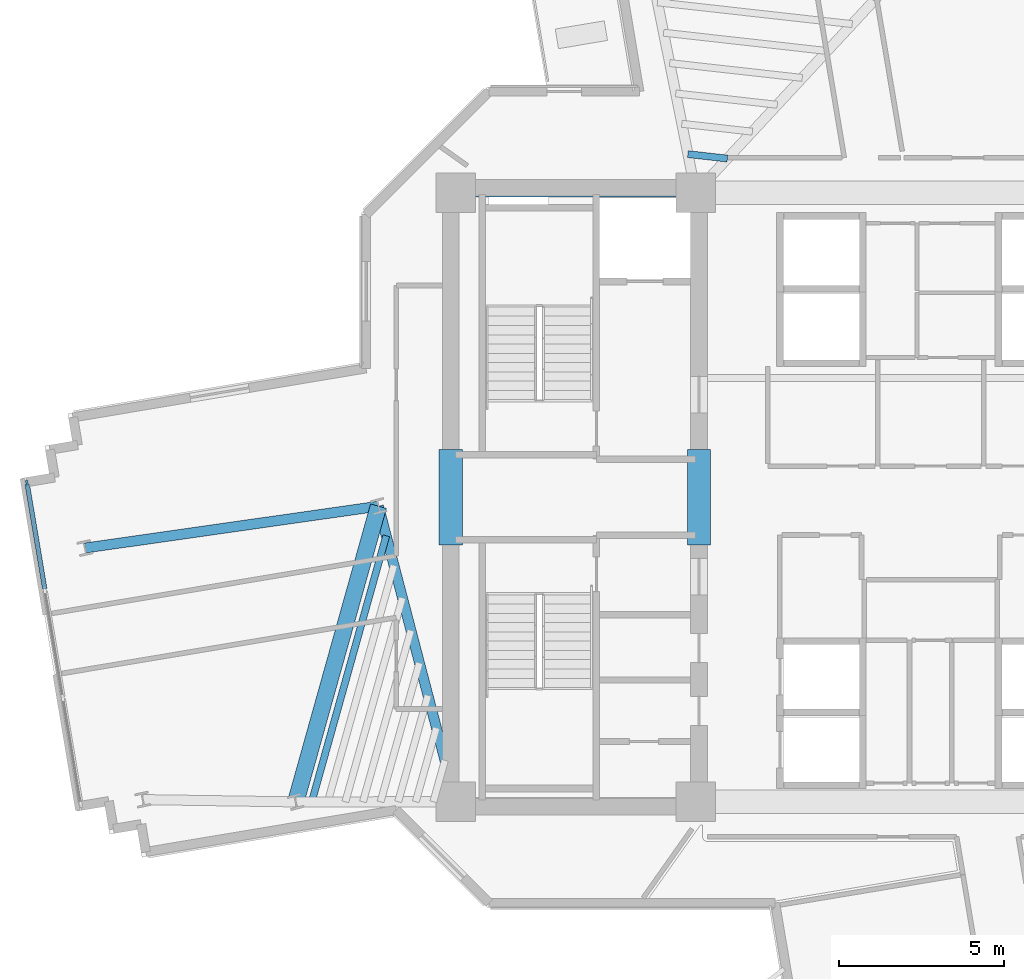
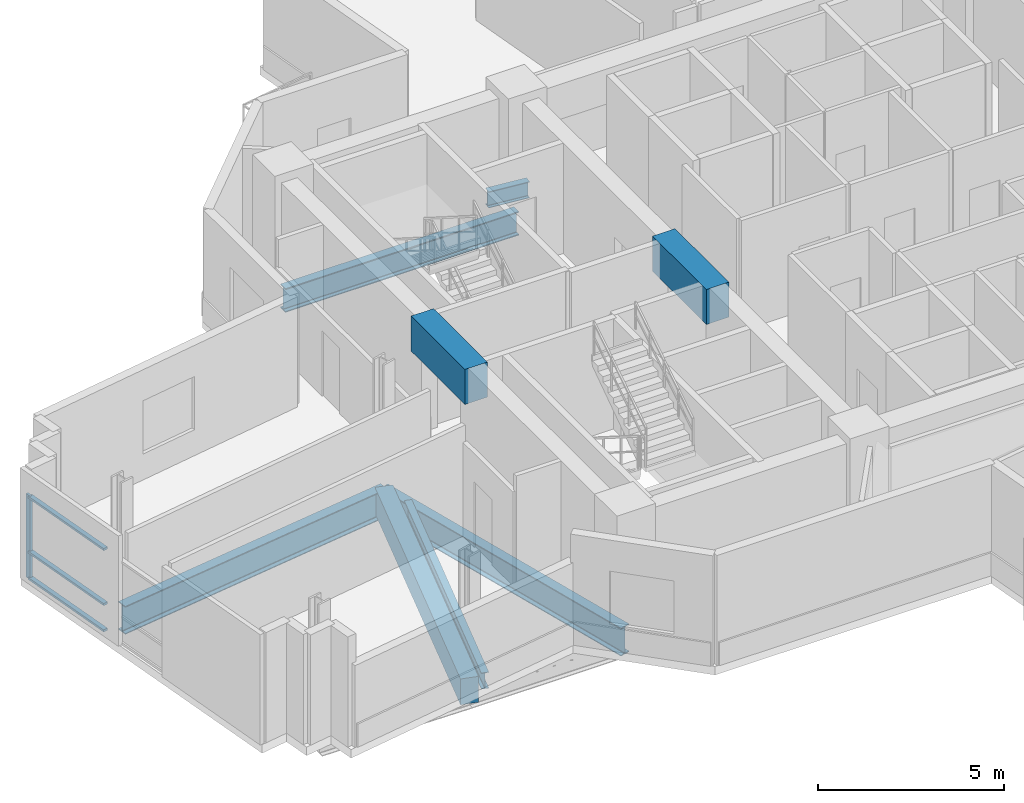
# One storey, part 3 of 15: 8 beams, 4 members, 1 element without a shape of its own.
"""IFC4 building model written with IfcOpenShell, lengths in metres."""

from ifc_helpers import new_model, si_unit, direction, frame, origin, origin_2d, place, context, subcontext, project, spatial, rectangle, i_section, extrude, source, transform, mapped, material, layer, layer_set, material_profile, profile_set, type_object, element, aggregate, save


model = new_model("IFC4")

# Units and contexts
model_context = context("Model", 3, precision=1e-05, world=origin(), true_north=direction((0.0, 1.0)))
body_context = subcontext(model_context, "Body", "Model", "MODEL_VIEW")
ifc_project = project(units=[si_unit("LENGTHUNIT", "METRE"), si_unit("AREAUNIT", "SQUARE_METRE"), si_unit("VOLUMEUNIT", "CUBIC_METRE"), si_unit("PLANEANGLEUNIT", "RADIAN"), si_unit("MASSUNIT", "GRAM", prefix="KILO")], contexts=[model_context])

# Site, building, storey
site_placement = place(None, origin())
site = spatial("IfcSite", under=ifc_project, at=site_placement, CompositionType="ELEMENT")
building_placement = place(site_placement, origin())
building = spatial("IfcBuilding", under=site, at=building_placement, Name="Zahravan Cultural Tower", CompositionType="ELEMENT")
storey_placement = place(building_placement, frame((0.0, 0.0, 139.5)))
storey = spatial("IfcBuildingStorey", under=building, at=storey_placement, Name="L31", CompositionType="ELEMENT", Elevation=139.5)

# Beams
ifc_material_1 = material(Name="Concrete C50/60", Category="concrete")
ifc_material_profile_1 = material_profile(ifc_material_1, rectangle(XDim=0.699951171875, YDim=1.14990234375, at=origin_2d()), Name="RC700X1150")
ifc_profile_set_1 = profile_set([ifc_material_profile_1], Name="Concrete C50/60")
beam_type_1 = type_object("IfcBeamType", Name="BM-LN-RC700X1150", PredefinedType="LINTEL", material=ifc_profile_set_1)
shared_shape_1 = source(origin(), body_context, "Body", "SweptSolid", [
    extrude(rectangle(XDim=0.699951171875, YDim=1.14990234375, at=origin_2d()), origin(), (0.0, 0.0, 1.0), 2.89990234375),
])
for number, where, z_axis, x_axis, name in (
    (1, (21.5, 25.550048828125, 3.044921875), (0.0, 1.0, 0.0), (-1.0, 0.0, 0.0), "L31 Beam LN-L31-PWW"),
    (2, (29.0, 25.550048828125, 3.044921875), (0.0, 1.0, 0.0), (-1.0, 0.0, 0.0), "L31 Beam LN-L31-PWE"),
):
    element("IfcBeam", number, at=place(storey_placement, frame(where, z_axis=z_axis, x_axis=x_axis)), inside=storey, type_object=beam_type_1, Name=name, PredefinedType="LINTEL", context=body_context, shape_type="MappedRepresentation", body=[
        mapped(shared_shape_1, transform((0.0, 0.0, 0.0), x_axis=(1.0, 0.0, 0.0), y_axis=(0.0, 1.0, 0.0), z_axis=(0.0, 0.0, 1.0), scale=1.0)),
    ])
ifc_material_2 = material(Name="Steel ASTM A992 Grade 50", Category="steel")
ifc_material_profile_2 = material_profile(ifc_material_2, i_section(OverallWidth=0.26611328125, OverallDepth=0.780029296875, WebThickness=0.0166015625, FlangeThickness=0.030029296875, FilletRadius=0.01904296875, at=origin_2d()), Name="W30X148")
ifc_profile_set_2 = profile_set([ifc_material_profile_2], Name="Steel ASTM A992 Grade 50")
beam_type_2 = type_object("IfcBeamType", Name="BM-G-W30X148", PredefinedType="BEAM", material=ifc_profile_set_2)
shared_shape_2 = source(origin(), body_context, "Body", "SweptSolid", [
    extrude(i_section(OverallWidth=0.26611328125, OverallDepth=0.780029296875, WebThickness=0.0166015625, FlangeThickness=0.030029296875, FilletRadius=0.01904296875, at=origin_2d()), origin(), (0.0, 0.0, 1.0), 7.25),
])
beam_1_placement = place(storey_placement, frame((21.64990234375, 36.199951171875, -0.669921875), z_axis=(1.0, 0.0, 0.0), x_axis=(0.0, 1.0, 0.0)))
element("IfcBeam", 3, at=beam_1_placement, inside=storey, type_object=beam_type_2, Name="L31 Beam BG-L31-02", PredefinedType="BEAM", context=body_context, shape_type="MappedRepresentation", body=[
    mapped(shared_shape_2, transform((0.0, 0.0, 0.0), x_axis=(1.0, 0.0, 0.0), y_axis=(0.0, 1.0, 0.0), z_axis=(0.0, 0.0, 1.0), scale=1.0)),
])
ifc_material_profile_3 = material_profile(ifc_material_2, i_section(OverallWidth=0.304931640625, OverallDepth=0.9189453125, WebThickness=0.017333984375, FlangeThickness=0.02783203125, FilletRadius=0.02392578125, at=origin_2d()), Name="W36X170")
ifc_profile_set_3 = profile_set([ifc_material_profile_3], Name="Steel ASTM A992 Grade 50")
beam_type_3 = type_object("IfcBeamType", Name="BM-G-W36X170", PredefinedType="BEAM", material=ifc_profile_set_3)
shared_shape_3 = source(origin(), body_context, "Body", "SweptSolid", [
    extrude(i_section(OverallWidth=0.304931640625, OverallDepth=0.9189453125, WebThickness=0.017333984375, FlangeThickness=0.02783203125, FilletRadius=0.02392578125, at=origin_2d()), origin(), (0.0, 0.0, 1.0), 9.22900390625),
])
beam_2_placement = place(storey_placement, frame((21.64990234375, 17.800048828125, -0.739501953125), z_axis=(-0.252922608408, 0.967486513682, 0.0), x_axis=(-0.967486513682, -0.252922608408, 0.0)))
element("IfcBeam", 4, at=beam_2_placement, inside=storey, type_object=beam_type_3, Name="L31 Beam BG-L31-07", PredefinedType="BEAM", context=body_context, shape_type="MappedRepresentation", body=[
    mapped(shared_shape_3, transform((0.0, 0.0, 0.0), x_axis=(1.0, 0.0, 0.0), y_axis=(0.0, 1.0, 0.0), z_axis=(0.0, 0.0, 1.0), scale=1.0)),
])
shared_shape_4 = source(origin(), body_context, "Body", "SweptSolid", [
    extrude(i_section(OverallWidth=0.304931640625, OverallDepth=0.9189453125, WebThickness=0.017333984375, FlangeThickness=0.02783203125, FilletRadius=0.02392578125, at=origin_2d()), origin(), (0.0, 0.0, 1.0), 8.9580078125),
])
beam_3_placement = place(storey_placement, frame((19.315673828125, 26.72900390625, -0.739501953125), z_axis=(-0.990000122431, -0.141066500584, 0.0), x_axis=(0.141066500584, -0.990000122431, 0.0)))
element("IfcBeam", 5, at=beam_3_placement, inside=storey, type_object=beam_type_3, Name="L31 Beam BG-L31-17", PredefinedType="BEAM", context=body_context, shape_type="MappedRepresentation", body=[
    mapped(shared_shape_4, transform((0.0, 0.0, 0.0), x_axis=(1.0, 0.0, 0.0), y_axis=(0.0, 1.0, 0.0), z_axis=(0.0, 0.0, 1.0), scale=1.0)),
])
ifc_material_profile_4 = material_profile(ifc_material_1, rectangle(XDim=0.5, YDim=0.85009765625, at=origin_2d()), Name="RC500X850")
ifc_profile_set_4 = profile_set([ifc_material_profile_4], Name="Concrete C50/60")
beam_type_4 = type_object("IfcBeamType", Name="BM-SP-RC500X850", PredefinedType="SPANDREL", material=ifc_profile_set_4)
shared_shape_5 = source(origin(), body_context, "Body", "SweptSolid", [
    extrude(rectangle(XDim=0.5, YDim=0.85009765625, at=origin_2d()), origin(), (0.0, 0.0, 1.0), 9.2783203125),
])
beam_4_placement = place(storey_placement, frame((19.315673828125, 26.72900390625, -0.705078125), z_axis=(-0.269497187032, -0.963001176625, 0.0), x_axis=(0.963001176625, -0.269497187032, 0.0)))
element("IfcBeam", 6, at=beam_4_placement, inside=storey, type_object=beam_type_4, Name="L31 Beam SP-L31-19", PredefinedType="SPANDREL", context=body_context, shape_type="MappedRepresentation", body=[
    mapped(shared_shape_5, transform((0.0, 0.0, 0.0), x_axis=(1.0, 0.0, 0.0), y_axis=(0.0, 1.0, 0.0), z_axis=(0.0, 0.0, 1.0), scale=1.0)),
])
ifc_material_profile_5 = material_profile(ifc_material_2, i_section(OverallWidth=0.2099609375, OverallDepth=0.532958984375, WebThickness=0.01025390625, FlangeThickness=0.015625, FilletRadius=0.013916015625, at=origin_2d()), Name="W21X62")
ifc_profile_set_5 = profile_set([ifc_material_profile_5], Name="Steel ASTM A992 Grade 50")
beam_type_5 = type_object("IfcBeamType", Name="BM-J-W21X62", PredefinedType="JOIST", material=ifc_profile_set_5)
shared_shape_6 = source(origin(), body_context, "Body", "SweptSolid", [
    extrude(i_section(OverallWidth=0.2099609375, OverallDepth=0.532958984375, WebThickness=0.01025390625, FlangeThickness=0.015625, FilletRadius=0.013916015625, at=origin_2d()), origin(), (0.0, 0.0, 1.0), 8.350830078125),
])
beam_5_placement = place(storey_placement, frame((19.549072265625, 25.836181640625, -0.54638671875), z_axis=(-0.269496539555, -0.963001357822, 0.0), x_axis=(0.963001357822, -0.269496539555, 0.0)))
element("IfcBeam", 7, at=beam_5_placement, inside=storey, type_object=beam_type_5, Name="L31 Beam BJ-L31-31", PredefinedType="JOIST", context=body_context, shape_type="MappedRepresentation", body=[
    mapped(shared_shape_6, transform((0.0, 0.0, 0.0), x_axis=(1.0, 0.0, 0.0), y_axis=(0.0, 1.0, 0.0), z_axis=(0.0, 0.0, 1.0), scale=1.0)),
])
shared_shape_7 = source(origin(), body_context, "Body", "SweptSolid", [
    extrude(i_section(OverallWidth=0.2099609375, OverallDepth=0.532958984375, WebThickness=0.01025390625, FlangeThickness=0.015625, FilletRadius=0.013916015625, at=origin_2d()), origin(), (0.0, 0.0, 1.0), 1.201171875),
])
beam_6_placement = place(storey_placement, frame((29.859619140625, 37.234375, -0.54638671875), z_axis=(-0.99379916149, 0.111190047317, 0.0), x_axis=(-0.111190047317, -0.99379916149, 0.0)))
element("IfcBeam", 8, at=beam_6_placement, inside=storey, type_object=beam_type_5, Name="L31 Beam BJ-L31-48", PredefinedType="JOIST", context=body_context, shape_type="MappedRepresentation", body=[
    mapped(shared_shape_7, transform((0.0, 0.0, 0.0), x_axis=(1.0, 0.0, 0.0), y_axis=(0.0, 1.0, 0.0), z_axis=(0.0, 0.0, 1.0), scale=1.0)),
])

# Curtain wall, members
ifc_material_3 = material(Name="Anodised bronze-aluminium mullion", Category="aluminium")
ifc_layer = layer(ifc_material_3, 0.179931640625)
ifc_layer_set = layer_set([ifc_layer], Name="Anodised bronze-aluminium mullion")
curtain_wall_type = type_object("IfcCurtainWallType", Name="CW-SYS-3", PredefinedType="USERDEFINED", material=ifc_layer_set)
curtain_wall_placement = place(storey_placement, origin())
curtain_wall = element("IfcCurtainWall", 9, at=curtain_wall_placement, inside=storey, type_object=curtain_wall_type, Name="L31 Recessed Curtain Wall CW-3.2", ObjectType="RECESSED GLAZING", PredefinedType="USERDEFINED")
ifc_material_profile_6 = material_profile(ifc_material_3, rectangle(XDim=0.070068359375, YDim=0.179931640625, at=origin_2d()), Name="AL-M70X180")
ifc_profile_set_6 = profile_set([ifc_material_profile_6], Name="Anodised bronze-aluminium mullion")
member_type_1 = type_object("IfcMemberType", Name="CWM-CW-3", PredefinedType="MULLION", material=ifc_profile_set_6)
shared_shape_8 = source(origin(), body_context, "Body", "SweptSolid", [
    extrude(rectangle(XDim=0.070068359375, YDim=0.179931640625, at=origin_2d()), origin(), (0.0, 0.0, 1.0), 2.739990234375),
])
member_1_placement = place(storey_placement, frame((8.695556640625, 27.42431640625, 0.0), z_axis=(0.0, 0.0, 1.0), x_axis=(-0.986285000163, -0.165051199491, 0.0)))
member_1 = element("IfcMember", 10, at=member_1_placement, type_object=member_type_1, Name="CW-3 mullion 4", PredefinedType="MULLION", context=body_context, shape_type="MappedRepresentation", body=[
    mapped(shared_shape_8, transform((0.0, 0.0, 0.0), x_axis=(1.0, 0.0, 0.0), y_axis=(0.0, 1.0, 0.0), z_axis=(0.0, 0.0, 1.0), scale=1.0)),
])
ifc_material_profile_7 = material_profile(ifc_material_3, rectangle(XDim=0.139892578125, YDim=0.070068359375, at=origin_2d()), Name="AL-T70X140")
ifc_profile_set_7 = profile_set([ifc_material_profile_7], Name="Anodised bronze-aluminium mullion")
member_type_2 = type_object("IfcMemberType", Name="CWT-CW-3", PredefinedType="USERDEFINED", material=ifc_profile_set_7)
shared_shape_9 = source(origin(), body_context, "Body", "SweptSolid", [
    extrude(rectangle(XDim=0.139892578125, YDim=0.070068359375, at=origin_2d()), origin(), (0.0, 0.0, 1.0), 3.20166015625),
])
member_2_placement = place(storey_placement, frame((9.229736328125, 24.23193359375, 0.034912109375), z_axis=(-0.165091421892, 0.986278268248, 0.0), x_axis=(-0.986278268248, -0.165091421892, 0.0)))
member_2 = element("IfcMember", 11, at=member_2_placement, type_object=member_type_2, Name="CW-3 transom 3.1", ObjectType="TRANSOM", PredefinedType="USERDEFINED", context=body_context, shape_type="MappedRepresentation", body=[
    mapped(shared_shape_9, transform((0.0, 0.0, 0.0), x_axis=(1.0, 0.0, 0.0), y_axis=(0.0, 1.0, 0.0), z_axis=(0.0, 0.0, 1.0), scale=1.0)),
])
member_3_placement = place(storey_placement, frame((9.229736328125, 24.23193359375, 0.89990234375), z_axis=(-0.165091421892, 0.986278268248, 0.0), x_axis=(-0.986278268248, -0.165091421892, 0.0)))
member_3 = element("IfcMember", 12, at=member_3_placement, type_object=member_type_2, Name="CW-3 transom 3.2", ObjectType="TRANSOM", PredefinedType="USERDEFINED", context=body_context, shape_type="MappedRepresentation", body=[
    mapped(shared_shape_9, transform((0.0, 0.0, 0.0), x_axis=(1.0, 0.0, 0.0), y_axis=(0.0, 1.0, 0.0), z_axis=(0.0, 0.0, 1.0), scale=1.0)),
])
member_4_placement = place(storey_placement, frame((9.229736328125, 24.23193359375, 2.705078125), z_axis=(-0.165091421892, 0.986278268248, 0.0), x_axis=(-0.986278268248, -0.165091421892, 0.0)))
member_4 = element("IfcMember", 13, at=member_4_placement, type_object=member_type_2, Name="CW-3 transom 3.3", ObjectType="TRANSOM", PredefinedType="USERDEFINED", context=body_context, shape_type="MappedRepresentation", body=[
    mapped(shared_shape_9, transform((0.0, 0.0, 0.0), x_axis=(1.0, 0.0, 0.0), y_axis=(0.0, 1.0, 0.0), z_axis=(0.0, 0.0, 1.0), scale=1.0)),
])
aggregate(curtain_wall, [member_1, member_2, member_3, member_4])

save(model, "model.ifc")
